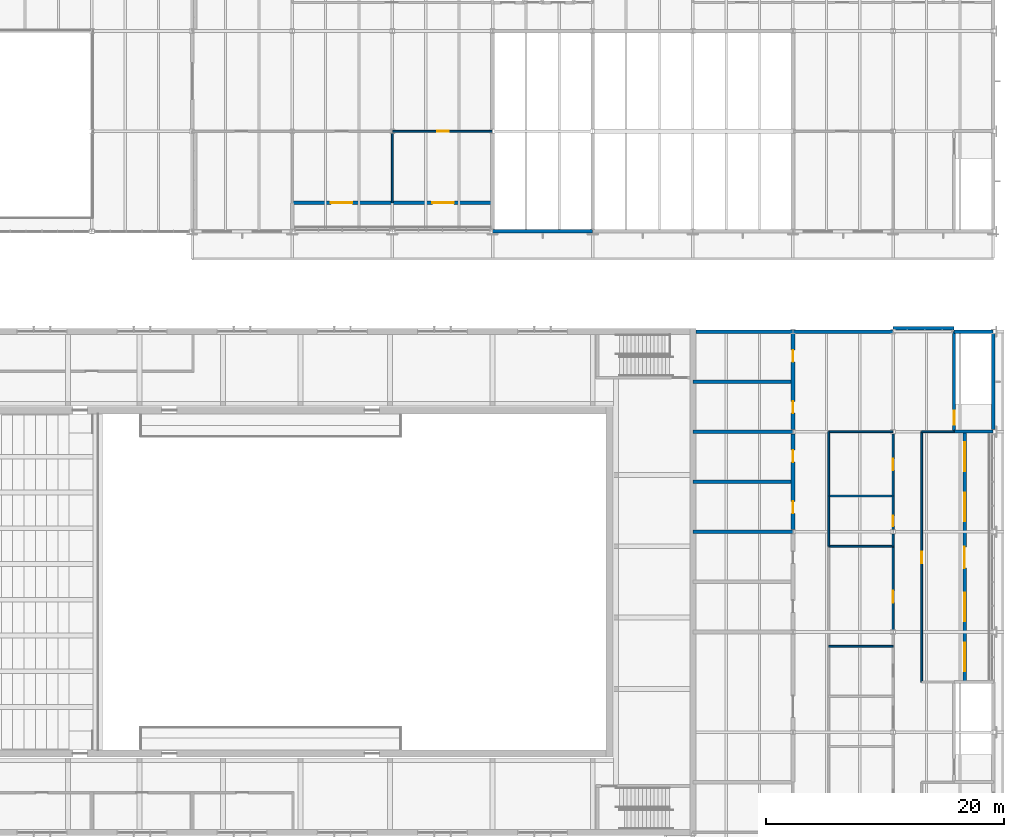
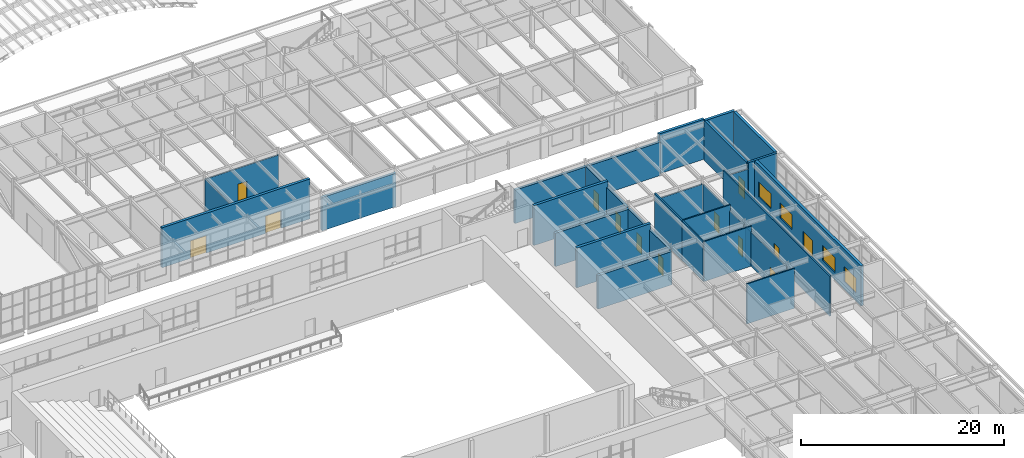
# One storey, part 79 of 116: 30 walls, 13 doors, 4 windows, 17 openings.
"""IFC4 building model written with IfcOpenShell, lengths in metres."""

from ifc_helpers import new_model, si_unit, direction, frame, frame_2d, origin, place, context, subcontext, project, spatial, rectangle, extrude, material, layer, layer_set, type_object, element, fill, save


model = new_model("IFC4")

# Units and contexts
model_context = context("Model", 3, precision=1e-05, world=origin(), true_north=direction((0.0, 1.0)))
body_context = subcontext(model_context, "Body", "Model", "MODEL_VIEW")
ifc_project = project(units=[si_unit("LENGTHUNIT", "METRE"), si_unit("AREAUNIT", "SQUARE_METRE"), si_unit("VOLUMEUNIT", "CUBIC_METRE"), si_unit("PLANEANGLEUNIT", "RADIAN"), si_unit("MASSUNIT", "GRAM", prefix="KILO")], contexts=[model_context])

# Site, building, storey
site_placement = place(None, origin())
site = spatial("IfcSite", under=ifc_project, at=site_placement, CompositionType="ELEMENT")
building_placement = place(site_placement, origin())
building = spatial("IfcBuilding", under=site, at=building_placement, Name="Ljudholm Concert House", CompositionType="ELEMENT")
storey_placement = place(building_placement, frame((0.0, 0.0, 10.199951171875)))
storey = spatial("IfcBuildingStorey", under=building, at=storey_placement, Name="L02", CompositionType="ELEMENT", Elevation=10.199951171875)

# Wall, openings, doors
ifc_material_1 = material(Name="Double gypsum board on staggered studs")
ifc_layer_1 = layer(ifc_material_1, 0.300048828125)
ifc_layer_set_1 = layer_set([ifc_layer_1], Name="Double gypsum board on staggered studs")
wall_type_1 = type_object("IfcWallType", Name="ACOUSTIC PARTITION 300", PredefinedType="PARTITIONING", material=ifc_layer_set_1)
wall_1_placement = place(storey_placement, frame((104.800048828125, 79.77783203125, 0.0), z_axis=(0.0, 0.0, 1.0), x_axis=(0.0, 1.0, 0.0)))
wall_1 = element("IfcWall", 1, at=wall_1_placement, inside=storey, type_object=wall_type_1, Name="Acoustic partition", PredefinedType="PARTITIONING", context=body_context, shape_type="SweptSolid", body=[
    extrude(rectangle(XDim=8.04443359375, YDim=0.300048828125, at=frame_2d((4.022216796875, 0.0))), origin(), (0.0, 0.0, 1.0), 4.086669921875),
])
opening_1_placement = place(wall_1_placement, frame((1.372314453125, 0.0, 0.0)))
opening_1 = element("IfcOpeningElement", 2, at=opening_1_placement, cuts=wall_1, Name="Opening D-W02-019", PredefinedType="OPENING", context=body_context, shape_type="SweptSolid", body=[
    extrude(rectangle(XDim=1.0, YDim=2.10009765625, at=frame_2d((0.5, 1.050048828125))), frame((0.0, 0.159912109375, 0.0), z_axis=(0.0, -1.0, 0.0), x_axis=(1.0, 0.0, 0.0)), (0.0, 0.0, 1.0), 0.320068359375),
])
opening_2_placement = place(wall_1_placement, frame((5.672119140625, 0.0, 0.0)))
opening_2 = element("IfcOpeningElement", 3, at=opening_2_placement, cuts=wall_1, Name="Opening D-W02-020", PredefinedType="OPENING", context=body_context, shape_type="SweptSolid", body=[
    extrude(rectangle(XDim=1.0, YDim=2.10009765625, at=frame_2d((0.5, 1.050048828125))), frame((0.0, 0.159912109375, 0.0), z_axis=(0.0, -1.0, 0.0), x_axis=(1.0, 0.0, 0.0)), (0.0, 0.0, 1.0), 0.320068359375),
])
ifc_material_2 = material(Name="Hollow metal door in steel frame", Category="steel")
door_type_1 = type_object("IfcDoorType", Name="SWING DOOR 1000x2100", OperationType="SINGLE_SWING_LEFT", PredefinedType="DOOR", material=ifc_material_2)
door_1_placement = place(opening_1_placement, origin())
door_1 = element("IfcDoor", 4, at=door_1_placement, inside=storey, type_object=door_type_1, Name="Door", OperationType="SINGLE_SWING_RIGHT", OverallHeight=2.10009765625, OverallWidth=1.0, PredefinedType="DOOR", context=body_context, shape_type="SweptSolid", body=[
    extrude(rectangle(XDim=1.0, YDim=2.10009765625, at=frame_2d((0.5, 1.050048828125))), frame((0.0, 0.02490234375, 0.0), z_axis=(0.0, -1.0, 0.0), x_axis=(1.0, 0.0, 0.0)), (0.0, 0.0, 1.0), 0.050048828125),
])
fill(opening_1, door_1)
door_2_placement = place(opening_2_placement, origin())
door_2 = element("IfcDoor", 5, at=door_2_placement, inside=storey, type_object=door_type_1, Name="Door", OperationType="SINGLE_SWING_LEFT", OverallHeight=2.10009765625, OverallWidth=1.0, PredefinedType="DOOR", context=body_context, shape_type="SweptSolid", body=[
    extrude(rectangle(XDim=1.0, YDim=2.10009765625, at=frame_2d((0.5, 1.050048828125))), frame((0.0, 0.02490234375, 0.0), z_axis=(0.0, -1.0, 0.0), x_axis=(1.0, 0.0, 0.0)), (0.0, 0.0, 1.0), 0.050048828125),
])
fill(opening_2, door_2)

wall_2_placement = place(storey_placement, frame((104.800048828125, 88.177734375, 0.0), z_axis=(0.0, 0.0, 1.0), x_axis=(0.0, 1.0, 0.0)))
wall_2 = element("IfcWall", 6, at=wall_2_placement, inside=storey, type_object=wall_type_1, Name="Acoustic partition", PredefinedType="PARTITIONING", context=body_context, shape_type="SweptSolid", body=[
    extrude(rectangle(XDim=8.04443359375, YDim=0.300048828125, at=frame_2d((4.022216796875, 0.0))), origin(), (0.0, 0.0, 1.0), 4.086669921875),
])
opening_3_placement = place(wall_2_placement, frame((1.372314453125, 0.0, 0.0)))
opening_3 = element("IfcOpeningElement", 7, at=opening_3_placement, cuts=wall_2, Name="Opening D-W02-021", PredefinedType="OPENING", context=body_context, shape_type="SweptSolid", body=[
    extrude(rectangle(XDim=1.0, YDim=2.10009765625, at=frame_2d((0.5, 1.050048828125))), frame((0.0, 0.159912109375, 0.0), z_axis=(0.0, -1.0, 0.0), x_axis=(1.0, 0.0, 0.0)), (0.0, 0.0, 1.0), 0.320068359375),
])
opening_4_placement = place(wall_2_placement, frame((5.672119140625, 0.0, 0.0)))
opening_4 = element("IfcOpeningElement", 8, at=opening_4_placement, cuts=wall_2, Name="Opening D-W02-022", PredefinedType="OPENING", context=body_context, shape_type="SweptSolid", body=[
    extrude(rectangle(XDim=1.0, YDim=2.10009765625, at=frame_2d((0.5, 1.050048828125))), frame((0.0, 0.159912109375, 0.0), z_axis=(0.0, -1.0, 0.0), x_axis=(1.0, 0.0, 0.0)), (0.0, 0.0, 1.0), 0.320068359375),
])
door_3_placement = place(opening_3_placement, origin())
door_3 = element("IfcDoor", 9, at=door_3_placement, inside=storey, type_object=door_type_1, Name="Door", OperationType="SINGLE_SWING_RIGHT", OverallHeight=2.10009765625, OverallWidth=1.0, PredefinedType="DOOR", context=body_context, shape_type="SweptSolid", body=[
    extrude(rectangle(XDim=1.0, YDim=2.10009765625, at=frame_2d((0.5, 1.050048828125))), frame((0.0, 0.02490234375, 0.0), z_axis=(0.0, -1.0, 0.0), x_axis=(1.0, 0.0, 0.0)), (0.0, 0.0, 1.0), 0.050048828125),
])
fill(opening_3, door_3)
door_4_placement = place(opening_4_placement, origin())
door_4 = element("IfcDoor", 10, at=door_4_placement, inside=storey, type_object=door_type_1, Name="Door", OperationType="SINGLE_SWING_LEFT", OverallHeight=2.10009765625, OverallWidth=1.0, PredefinedType="DOOR", context=body_context, shape_type="SweptSolid", body=[
    extrude(rectangle(XDim=1.0, YDim=2.10009765625, at=frame_2d((0.5, 1.050048828125))), frame((0.0, 0.02490234375, 0.0), z_axis=(0.0, -1.0, 0.0), x_axis=(1.0, 0.0, 0.0)), (0.0, 0.0, 1.0), 0.050048828125),
])
fill(opening_4, door_4)

# Walls
wall_3_placement = place(storey_placement, frame((96.39990234375, 79.60009765625, 0.0), z_axis=(0.0, 0.0, 1.0), x_axis=(1.0, 0.0, 0.0)))
element("IfcWall", 11, at=wall_3_placement, inside=storey, type_object=wall_type_1, Name="Acoustic partition", PredefinedType="PARTITIONING", context=body_context, shape_type="SweptSolid", body=[
    extrude(rectangle(XDim=8.39453125, YDim=0.300048828125, at=frame_2d((4.197265625, 0.0))), origin(), (0.0, 0.0, 1.0), 4.008056640625),
])
wall_4_placement = place(storey_placement, frame((96.39990234375, 83.800048828125, 0.0), z_axis=(0.0, 0.0, 1.0), x_axis=(1.0, 0.0, 0.0)))
element("IfcWall", 12, at=wall_4_placement, inside=storey, type_object=wall_type_1, Name="Acoustic partition", PredefinedType="PARTITIONING", context=body_context, shape_type="SweptSolid", body=[
    extrude(rectangle(XDim=8.400146484375, YDim=0.300048828125, at=frame_2d((4.2001953125, 0.0))), origin(), (0.0, 0.0, 1.0), 4.800048828125),
])
wall_5_placement = place(storey_placement, frame((96.39990234375, 88.0, 0.0), z_axis=(0.0, 0.0, 1.0), x_axis=(1.0, 0.0, 0.0)))
element("IfcWall", 13, at=wall_5_placement, inside=storey, type_object=wall_type_1, Name="Acoustic partition", PredefinedType="PARTITIONING", context=body_context, shape_type="SweptSolid", body=[
    extrude(rectangle(XDim=8.39453125, YDim=0.300048828125, at=frame_2d((4.197265625, 0.0))), origin(), (0.0, 0.0, 1.0), 4.008056640625),
])
wall_6_placement = place(storey_placement, frame((96.39990234375, 92.199951171875, 0.0), z_axis=(0.0, 0.0, 1.0), x_axis=(1.0, 0.0, 0.0)))
element("IfcWall", 14, at=wall_6_placement, inside=storey, type_object=wall_type_1, Name="Acoustic partition", PredefinedType="PARTITIONING", context=body_context, shape_type="SweptSolid", body=[
    extrude(rectangle(XDim=8.400146484375, YDim=0.300048828125, at=frame_2d((4.2001953125, 0.0))), origin(), (0.0, 0.0, 1.0), 4.800048828125),
])
ifc_material_3 = material(Name="Gypsum board on steel studs", Category="steel")
ifc_layer_2 = layer(ifc_material_3, 0.14990234375)
ifc_layer_set_2 = layer_set([ifc_layer_2], Name="Gypsum board on steel studs")
wall_type_2 = type_object("IfcWallType", Name="GYPSUM PARTITION 150", PredefinedType="PARTITIONING", material=ifc_layer_set_2)
wall_7_placement = place(storey_placement, frame((107.800048828125, 82.60009765625, 0.0), z_axis=(0.0, 0.0, 1.0), x_axis=(0.0, 1.0, 0.0)))
element("IfcWall", 15, at=wall_7_placement, inside=storey, type_object=wall_type_2, Name="Partition", PredefinedType="PARTITIONING", context=body_context, shape_type="SweptSolid", body=[
    extrude(rectangle(XDim=5.39990234375, YDim=0.14990234375, at=frame_2d((2.699951171875, 0.0))), origin(), (0.0, 0.0, 1.0), 4.800048828125),
])
wall_8_placement = place(storey_placement, frame((107.800048828125, 78.39990234375, 0.0), z_axis=(0.0, 0.0, 1.0), x_axis=(0.0, 1.0, 0.0)))
element("IfcWall", 16, at=wall_8_placement, inside=storey, type_object=wall_type_2, Name="Partition", PredefinedType="PARTITIONING", context=body_context, shape_type="SweptSolid", body=[
    extrude(rectangle(XDim=4.2001953125, YDim=0.14990234375, at=frame_2d((2.10009765625, 0.0))), origin(), (0.0, 0.0, 1.0), 4.800048828125),
])

# Wall, opening, door
wall_9_placement = place(storey_placement, frame((113.199951171875, 71.377685546875, 0.0), z_axis=(0.0, 0.0, 1.0), x_axis=(0.0, 1.0, 0.0)))
wall_9 = element("IfcWall", 17, at=wall_9_placement, inside=storey, type_object=wall_type_2, Name="Partition", PredefinedType="PARTITIONING", context=body_context, shape_type="SweptSolid", body=[
    extrude(rectangle(XDim=7.022216796875, YDim=0.14990234375, at=frame_2d((3.51123046875, 0.0))), origin(), (0.0, 0.0, 1.0), 4.086669921875),
])
opening_5_placement = place(wall_9_placement, frame((2.272216796875, 0.0, 0.0)))
opening_5 = element("IfcOpeningElement", 18, at=opening_5_placement, cuts=wall_9, Name="Opening D-W02-031", PredefinedType="OPENING", context=body_context, shape_type="SweptSolid", body=[
    extrude(rectangle(XDim=1.0, YDim=2.10009765625, at=frame_2d((0.5, 1.050048828125))), frame((0.0, 0.0849609375, 0.0), z_axis=(0.0, -1.0, 0.0), x_axis=(1.0, 0.0, 0.0)), (0.0, 0.0, 1.0), 0.169921875),
])
door_5_placement = place(opening_5_placement, origin())
door_5 = element("IfcDoor", 19, at=door_5_placement, inside=storey, type_object=door_type_1, Name="Door", OperationType="SINGLE_SWING_RIGHT", OverallHeight=2.10009765625, OverallWidth=1.0, PredefinedType="DOOR", context=body_context, shape_type="SweptSolid", body=[
    extrude(rectangle(XDim=1.0, YDim=2.10009765625, at=frame_2d((0.5, 1.050048828125))), frame((0.0, 0.02490234375, 0.0), z_axis=(0.0, -1.0, 0.0), x_axis=(1.0, 0.0, 0.0)), (0.0, 0.0, 1.0), 0.050048828125),
])
fill(opening_5, door_5)

wall_10_placement = place(storey_placement, frame((113.199951171875, 82.60009765625, 0.0), z_axis=(0.0, 0.0, 1.0), x_axis=(0.0, 1.0, 0.0)))
wall_10 = element("IfcWall", 20, at=wall_10_placement, inside=storey, type_object=wall_type_2, Name="Partition", PredefinedType="PARTITIONING", context=body_context, shape_type="SweptSolid", body=[
    extrude(rectangle(XDim=5.22216796875, YDim=0.14990234375, at=frame_2d((2.611083984375, 0.0))), origin(), (0.0, 0.0, 1.0), 4.086669921875),
])
opening_6_placement = place(wall_10_placement, frame((2.14990234375, 0.0, 0.0)))
opening_6 = element("IfcOpeningElement", 21, at=opening_6_placement, cuts=wall_10, Name="Opening D-W02-033", PredefinedType="OPENING", context=body_context, shape_type="SweptSolid", body=[
    extrude(rectangle(XDim=1.0, YDim=2.10009765625, at=frame_2d((0.5, 1.050048828125))), frame((0.0, 0.0849609375, 0.0), z_axis=(0.0, -1.0, 0.0), x_axis=(1.0, 0.0, 0.0)), (0.0, 0.0, 1.0), 0.169921875),
])
door_6_placement = place(opening_6_placement, origin())
door_6 = element("IfcDoor", 22, at=door_6_placement, inside=storey, type_object=door_type_1, Name="Door", OperationType="SINGLE_SWING_RIGHT", OverallHeight=2.10009765625, OverallWidth=1.0, PredefinedType="DOOR", context=body_context, shape_type="SweptSolid", body=[
    extrude(rectangle(XDim=1.0, YDim=2.10009765625, at=frame_2d((0.5, 1.050048828125))), frame((0.0, 0.02490234375, 0.0), z_axis=(0.0, -1.0, 0.0), x_axis=(1.0, 0.0, 0.0)), (0.0, 0.0, 1.0), 0.050048828125),
])
fill(opening_6, door_6)

# Wall
wall_11_placement = place(storey_placement, frame((113.199951171875, 78.39990234375, 0.0), z_axis=(0.0, 0.0, 1.0), x_axis=(0.0, 1.0, 0.0)))
element("IfcWall", 23, at=wall_11_placement, inside=storey, type_object=wall_type_2, Name="Partition", PredefinedType="PARTITIONING", context=body_context, shape_type="SweptSolid", body=[
    extrude(rectangle(XDim=1.022216796875, YDim=0.14990234375, at=frame_2d((0.51123046875, 0.0))), origin(), (0.0, 0.0, 1.0), 4.086669921875),
])

# Wall, opening, door
wall_12_placement = place(storey_placement, frame((113.199951171875, 79.77783203125, 0.0), z_axis=(0.0, 0.0, 1.0), x_axis=(0.0, 1.0, 0.0)))
wall_12 = element("IfcWall", 24, at=wall_12_placement, inside=storey, type_object=wall_type_2, Name="Partition", PredefinedType="PARTITIONING", context=body_context, shape_type="SweptSolid", body=[
    extrude(rectangle(XDim=2.822265625, YDim=0.14990234375, at=frame_2d((1.4111328125, 0.0))), origin(), (0.0, 0.0, 1.0), 4.086669921875),
])
opening_7_placement = place(wall_12_placement, frame((0.272216796875, 0.0, 0.0)))
opening_7 = element("IfcOpeningElement", 25, at=opening_7_placement, cuts=wall_12, Name="Opening D-W02-032", PredefinedType="OPENING", context=body_context, shape_type="SweptSolid", body=[
    extrude(rectangle(XDim=0.89990234375, YDim=2.10009765625, at=frame_2d((0.449951171875, 1.050048828125))), frame((0.0, 0.0849609375, 0.0), z_axis=(0.0, -1.0, 0.0), x_axis=(1.0, 0.0, 0.0)), (0.0, 0.0, 1.0), 0.169921875),
])
ifc_material_4 = material(Name="Hollow metal door in steel frame", Category="steel")
door_type_2 = type_object("IfcDoorType", Name="SWING DOOR 900x2100", OperationType="SINGLE_SWING_LEFT", PredefinedType="DOOR", material=ifc_material_4)
door_7_placement = place(opening_7_placement, origin())
door_7 = element("IfcDoor", 26, at=door_7_placement, inside=storey, type_object=door_type_2, Name="Door", OperationType="SINGLE_SWING_RIGHT", OverallHeight=2.10009765625, OverallWidth=0.89990234375, PredefinedType="DOOR", context=body_context, shape_type="SweptSolid", body=[
    extrude(rectangle(XDim=0.89990234375, YDim=2.10009765625, at=frame_2d((0.449951171875, 1.050048828125))), frame((0.0, 0.02490234375, 0.0), z_axis=(0.0, -1.0, 0.0), x_axis=(1.0, 0.0, 0.0)), (0.0, 0.0, 1.0), 0.050048828125),
])
fill(opening_7, door_7)

wall_13_placement = place(storey_placement, frame((115.60009765625, 67.0, 0.0), z_axis=(0.0, 0.0, 1.0), x_axis=(0.0, 1.0, 0.0)))
wall_13 = element("IfcWall", 27, at=wall_13_placement, inside=storey, type_object=wall_type_2, Name="Partition", PredefinedType="PARTITIONING", context=body_context, shape_type="SweptSolid", body=[
    extrude(rectangle(XDim=21.0, YDim=0.14990234375, at=frame_2d((10.5, 0.0))), origin(), (0.0, 0.0, 1.0), 4.800048828125),
])
opening_8_placement = place(wall_13_placement, frame((9.949951171875, 0.0, 0.0)))
opening_8 = element("IfcOpeningElement", 28, at=opening_8_placement, cuts=wall_13, Name="Opening D-W02-043", PredefinedType="OPENING", context=body_context, shape_type="SweptSolid", body=[
    extrude(rectangle(XDim=1.0, YDim=2.10009765625, at=frame_2d((0.5, 1.050048828125))), frame((0.0, 0.0849609375, 0.0), z_axis=(0.0, -1.0, 0.0), x_axis=(1.0, 0.0, 0.0)), (0.0, 0.0, 1.0), 0.169921875),
])
door_8_placement = place(opening_8_placement, frame((1.0, 0.0, 0.0), z_axis=(0.0, 0.0, 1.0), x_axis=(-1.0, 0.0, 0.0)))
door_8 = element("IfcDoor", 29, at=door_8_placement, inside=storey, type_object=door_type_1, Name="Door", OperationType="SINGLE_SWING_RIGHT", OverallHeight=2.10009765625, OverallWidth=1.0, PredefinedType="DOOR", context=body_context, shape_type="SweptSolid", body=[
    extrude(rectangle(XDim=1.0, YDim=2.10009765625, at=frame_2d((0.5, 1.050048828125))), frame((0.0, 0.02490234375, 0.0), z_axis=(0.0, -1.0, 0.0), x_axis=(1.0, 0.0, 0.0)), (0.0, 0.0, 1.0), 0.050048828125),
])
fill(opening_8, door_8)

# Walls
for number, where, z_axis, x_axis, name in (
    (30, (107.800048828125, 70.0, 0.0), (0.0, 0.0, 1.0), (1.0, 0.0, 0.0), "Partition"),
    (31, (107.800048828125, 78.39990234375, 0.0), (0.0, 0.0, 1.0), (1.0, 0.0, 0.0), "Partition"),
    (32, (107.800048828125, 82.60009765625, 0.0), (0.0, 0.0, 1.0), (1.0, 0.0, 0.0), "Partition"),
):
    element("IfcWall", number, at=place(storey_placement, frame(where, z_axis=z_axis, x_axis=x_axis)), inside=storey, type_object=wall_type_2, Name=name, PredefinedType="PARTITIONING", context=body_context, shape_type="SweptSolid", body=[
        extrude(rectangle(XDim=5.39990234375, YDim=0.14990234375, at=frame_2d((2.699951171875, 0.0))), origin(), (0.0, 0.0, 1.0), 4.800048828125),
    ])
wall_14_placement = place(storey_placement, frame((107.800048828125, 88.0, 0.0), z_axis=(0.0, 0.0, 1.0), x_axis=(1.0, 0.0, 0.0)))
element("IfcWall", 33, at=wall_14_placement, inside=storey, type_object=wall_type_2, Name="Partition", PredefinedType="PARTITIONING", context=body_context, shape_type="SweptSolid", body=[
    extrude(rectangle(XDim=5.394287109375, YDim=0.14990234375, at=frame_2d((2.697265625, 0.0))), origin(), (0.0, 0.0, 1.0), 4.008056640625),
])
wall_15_placement = place(storey_placement, frame((115.60009765625, 88.0, 0.0), z_axis=(0.0, 0.0, 1.0), x_axis=(1.0, 0.0, 0.0)))
element("IfcWall", 34, at=wall_15_placement, inside=storey, type_object=wall_type_2, Name="Partition", PredefinedType="PARTITIONING", context=body_context, shape_type="SweptSolid", body=[
    extrude(rectangle(XDim=2.724853515625, YDim=0.14990234375, at=frame_2d((1.3623046875, 0.0))), origin(), (0.0, 0.0, 1.0), 4.008056640625),
])
wall_16_placement = place(storey_placement, frame((71.199951171875, 107.199951171875, 0.0), z_axis=(0.0, 0.0, 1.0), x_axis=(0.0, 1.0, 0.0)))
element("IfcWall", 35, at=wall_16_placement, inside=storey, type_object=wall_type_2, Name="Partition", PredefinedType="PARTITIONING", context=body_context, shape_type="SweptSolid", body=[
    extrude(rectangle(XDim=5.822265625, YDim=0.14990234375, at=frame_2d((2.9111328125, 0.0))), origin(), (0.0, 0.0, 1.0), 4.086669921875),
])

# Wall, opening, door
wall_17_placement = place(storey_placement, frame((71.1943359375, 113.199951171875, 0.0), z_axis=(0.0, 0.0, 1.0), x_axis=(1.0, 0.0, 0.0)))
wall_17 = element("IfcWall", 36, at=wall_17_placement, inside=storey, type_object=wall_type_2, Name="Partition", PredefinedType="PARTITIONING", context=body_context, shape_type="SweptSolid", body=[
    extrude(rectangle(XDim=8.400146484375, YDim=0.14990234375, at=frame_2d((4.2001953125, 0.0))), origin(), (0.0, 0.0, 1.0), 4.008056640625),
])
opening_9_placement = place(wall_17_placement, frame((3.755615234375, 0.0, 0.0)))
opening_9 = element("IfcOpeningElement", 37, at=opening_9_placement, cuts=wall_17, Name="Opening D-R02-010", PredefinedType="OPENING", context=body_context, shape_type="SweptSolid", body=[
    extrude(rectangle(XDim=1.0, YDim=2.10009765625, at=frame_2d((0.5, 1.050048828125))), frame((0.0, 0.0849609375, 0.0), z_axis=(0.0, -1.0, 0.0), x_axis=(1.0, 0.0, 0.0)), (0.0, 0.0, 1.0), 0.169921875),
])
door_9_placement = place(opening_9_placement, frame((1.0, 0.0, 0.0), z_axis=(0.0, 0.0, 1.0), x_axis=(-1.0, 0.0, 0.0)))
door_9 = element("IfcDoor", 38, at=door_9_placement, inside=storey, type_object=door_type_1, Name="Door", OperationType="SINGLE_SWING_RIGHT", OverallHeight=2.10009765625, OverallWidth=1.0, PredefinedType="DOOR", context=body_context, shape_type="SweptSolid", body=[
    extrude(rectangle(XDim=1.0, YDim=2.10009765625, at=frame_2d((0.5, 1.050048828125))), frame((0.0, 0.02490234375, 0.0), z_axis=(0.0, -1.0, 0.0), x_axis=(1.0, 0.0, 0.0)), (0.0, 0.0, 1.0), 0.050048828125),
])
fill(opening_9, door_9)

# Walls
ifc_material_5 = material(Name="Precast concrete 5,000 psi", Category="concrete")
ifc_layer_3 = layer(ifc_material_5, 0.300048828125)
ifc_layer_set_3 = layer_set([ifc_layer_3], Name="Precast concrete 5,000 psi")
wall_type_3 = type_object("IfcWallType", Name="PRECAST PANEL WALL 300", PredefinedType="SOLIDWALL", material=ifc_layer_set_3)
wall_18_placement = place(storey_placement, frame((96.64990234375, 96.39990234375, 0.0), z_axis=(0.0, 0.0, 1.0), x_axis=(1.0, 0.0, 0.0)))
element("IfcWall", 39, at=wall_18_placement, inside=storey, type_object=wall_type_3, Name="Facade wall", PredefinedType="SOLIDWALL", context=body_context, shape_type="SweptSolid", body=[
    extrude(rectangle(XDim=8.15576171875, YDim=0.300048828125, at=frame_2d((4.077880859375, 0.0))), origin(), (0.0, 0.0, 1.0), 4.008056640625),
])
wall_19_placement = place(storey_placement, frame((104.79443359375, 96.39990234375, 0.0), z_axis=(0.0, 0.0, 1.0), x_axis=(1.0, 0.0, 0.0)))
element("IfcWall", 40, at=wall_19_placement, inside=storey, type_object=wall_type_3, Name="Facade wall", PredefinedType="SOLIDWALL", context=body_context, shape_type="SweptSolid", body=[
    extrude(rectangle(XDim=8.39990234375, YDim=0.300048828125, at=frame_2d((4.199951171875, 0.0))), origin(), (0.0, 0.0, 1.0), 4.008056640625),
])
wall_20_placement = place(storey_placement, frame((113.20556640625, 96.6796875, 0.0), z_axis=(0.0, 0.0, 1.0), x_axis=(1.0, 0.0, 0.0)))
element("IfcWall", 41, at=wall_20_placement, inside=storey, type_object=wall_type_3, Name="Facade wall (braced bay)", PredefinedType="SOLIDWALL", context=body_context, shape_type="SweptSolid", body=[
    extrude(rectangle(XDim=5.119384765625, YDim=0.300048828125, at=frame_2d((2.5595703125, 0.0))), origin(), (0.0, 0.0, 1.0), 4.800048828125),
])
wall_21_placement = place(storey_placement, frame((79.60546875, 104.800048828125, 0.0), z_axis=(0.0, 0.0, 1.0), x_axis=(1.0, 0.0, 0.0)))
element("IfcWall", 42, at=wall_21_placement, inside=storey, type_object=wall_type_3, Name="Facade wall", PredefinedType="SOLIDWALL", context=body_context, shape_type="SweptSolid", body=[
    extrude(rectangle(XDim=8.400146484375, YDim=0.300048828125, at=frame_2d((4.2001953125, 0.0))), origin(), (0.0, 0.0, 1.0), 4.008056640625),
])

# Wall, openings, windows, door
wall_22_placement = place(storey_placement, frame((119.199951171875, 67.0, 0.0), z_axis=(0.0, 0.0, 1.0), x_axis=(0.0, 1.0, 0.0)))
wall_22 = element("IfcWall", 43, at=wall_22_placement, inside=storey, type_object=wall_type_3, Name="Loggia wall", PredefinedType="SOLIDWALL", context=body_context, shape_type="SweptSolid", body=[
    extrude(rectangle(XDim=21.0, YDim=0.300048828125, at=frame_2d((10.5, 0.0))), origin(), (0.0, 0.0, 1.0), 4.800048828125),
])
opening_10_placement = place(wall_22_placement, frame((9.550048828125, 0.0, 0.0)))
opening_10 = element("IfcOpeningElement", 44, at=opening_10_placement, cuts=wall_22, Name="Opening D-W02-045", PredefinedType="OPENING", context=body_context, shape_type="SweptSolid", body=[
    extrude(rectangle(XDim=1.800048828125, YDim=2.10009765625, at=frame_2d((0.89990234375, 1.050048828125))), frame((0.0, 0.159912109375, 0.0), z_axis=(0.0, -1.0, 0.0), x_axis=(1.0, 0.0, 0.0)), (0.0, 0.0, 1.0), 0.320068359375),
])
opening_11_placement = place(wall_22_placement, frame((0.89990234375, 0.0, 0.949951171875)))
opening_11 = element("IfcOpeningElement", 45, at=opening_11_placement, cuts=wall_22, Name="Opening X-W02-016", PredefinedType="OPENING", context=body_context, shape_type="SweptSolid", body=[
    extrude(rectangle(XDim=2.39990234375, YDim=1.800048828125, at=frame_2d((1.199951171875, 0.89990234375))), frame((0.0, 0.159912109375, 0.0), z_axis=(0.0, -1.0, 0.0), x_axis=(1.0, 0.0, 0.0)), (0.0, 0.0, 1.0), 0.320068359375),
])
opening_12_placement = place(wall_22_placement, frame((5.10009765625, 0.0, 0.949951171875)))
opening_12 = element("IfcOpeningElement", 46, at=opening_12_placement, cuts=wall_22, Name="Opening X-W02-017", PredefinedType="OPENING", context=body_context, shape_type="SweptSolid", body=[
    extrude(rectangle(XDim=2.39990234375, YDim=1.800048828125, at=frame_2d((1.199951171875, 0.89990234375))), frame((0.0, 0.159912109375, 0.0), z_axis=(0.0, -1.0, 0.0), x_axis=(1.0, 0.0, 0.0)), (0.0, 0.0, 1.0), 0.320068359375),
])
opening_13_placement = place(wall_22_placement, frame((13.5, 0.0, 0.949951171875)))
opening_13 = element("IfcOpeningElement", 47, at=opening_13_placement, cuts=wall_22, Name="Opening X-W02-018", PredefinedType="OPENING", context=body_context, shape_type="SweptSolid", body=[
    extrude(rectangle(XDim=2.39990234375, YDim=1.800048828125, at=frame_2d((1.199951171875, 0.89990234375))), frame((0.0, 0.159912109375, 0.0), z_axis=(0.0, -1.0, 0.0), x_axis=(1.0, 0.0, 0.0)), (0.0, 0.0, 1.0), 0.320068359375),
])
opening_14_placement = place(wall_22_placement, frame((17.699951171875, 0.0, 0.949951171875)))
opening_14 = element("IfcOpeningElement", 48, at=opening_14_placement, cuts=wall_22, Name="Opening X-W02-019", PredefinedType="OPENING", context=body_context, shape_type="SweptSolid", body=[
    extrude(rectangle(XDim=2.39990234375, YDim=1.800048828125, at=frame_2d((1.199951171875, 0.89990234375))), frame((0.0, 0.159912109375, 0.0), z_axis=(0.0, -1.0, 0.0), x_axis=(1.0, 0.0, 0.0)), (0.0, 0.0, 1.0), 0.320068359375),
])
ifc_material_6 = material(Name="Aluminium frame, impact glazing", Category="aluminium")
window_type = type_object("IfcWindowType", Name="CASEMENT WINDOW 2400x1800", PartitioningType="DOUBLE_PANEL_VERTICAL", PredefinedType="WINDOW", material=ifc_material_6)
window_1_placement = place(opening_11_placement, origin())
window_1 = element("IfcWindow", 49, at=window_1_placement, inside=storey, type_object=window_type, Name="Window", OverallHeight=1.800048828125, OverallWidth=2.39990234375, PartitioningType="DOUBLE_PANEL_VERTICAL", PredefinedType="WINDOW", context=body_context, shape_type="SweptSolid", body=[
    extrude(rectangle(XDim=2.39990234375, YDim=1.800048828125, at=frame_2d((1.199951171875, 0.89990234375))), frame((0.0, 0.030029296875, 0.0), z_axis=(0.0, -1.0, 0.0), x_axis=(1.0, 0.0, 0.0)), (0.0, 0.0, 1.0), 0.06005859375),
])
fill(opening_11, window_1)
window_2_placement = place(opening_12_placement, origin())
window_2 = element("IfcWindow", 50, at=window_2_placement, inside=storey, type_object=window_type, Name="Window", OverallHeight=1.800048828125, OverallWidth=2.39990234375, PartitioningType="DOUBLE_PANEL_VERTICAL", PredefinedType="WINDOW", context=body_context, shape_type="SweptSolid", body=[
    extrude(rectangle(XDim=2.39990234375, YDim=1.800048828125, at=frame_2d((1.199951171875, 0.89990234375))), frame((0.0, 0.030029296875, 0.0), z_axis=(0.0, -1.0, 0.0), x_axis=(1.0, 0.0, 0.0)), (0.0, 0.0, 1.0), 0.06005859375),
])
fill(opening_12, window_2)
window_3_placement = place(opening_13_placement, origin())
window_3 = element("IfcWindow", 51, at=window_3_placement, inside=storey, type_object=window_type, Name="Window", OverallHeight=1.800048828125, OverallWidth=2.39990234375, PartitioningType="DOUBLE_PANEL_VERTICAL", PredefinedType="WINDOW", context=body_context, shape_type="SweptSolid", body=[
    extrude(rectangle(XDim=2.39990234375, YDim=1.800048828125, at=frame_2d((1.199951171875, 0.89990234375))), frame((0.0, 0.030029296875, 0.0), z_axis=(0.0, -1.0, 0.0), x_axis=(1.0, 0.0, 0.0)), (0.0, 0.0, 1.0), 0.06005859375),
])
fill(opening_13, window_3)
window_4_placement = place(opening_14_placement, origin())
window_4 = element("IfcWindow", 52, at=window_4_placement, inside=storey, type_object=window_type, Name="Window", OverallHeight=1.800048828125, OverallWidth=2.39990234375, PartitioningType="DOUBLE_PANEL_VERTICAL", PredefinedType="WINDOW", context=body_context, shape_type="SweptSolid", body=[
    extrude(rectangle(XDim=2.39990234375, YDim=1.800048828125, at=frame_2d((1.199951171875, 0.89990234375))), frame((0.0, 0.030029296875, 0.0), z_axis=(0.0, -1.0, 0.0), x_axis=(1.0, 0.0, 0.0)), (0.0, 0.0, 1.0), 0.06005859375),
])
fill(opening_14, window_4)
ifc_material_7 = material(Name="Hollow metal door in steel frame", Category="steel")
door_type_3 = type_object("IfcDoorType", Name="DOUBLE DOOR 1800x2100 EXTERNAL", OperationType="DOUBLE_DOOR_SINGLE_SWING", PredefinedType="DOOR", material=ifc_material_7)
door_10_placement = place(opening_10_placement, frame((1.800048828125, 0.0, 0.0), z_axis=(0.0, 0.0, 1.0), x_axis=(-1.0, 0.0, 0.0)))
door_10 = element("IfcDoor", 53, at=door_10_placement, inside=storey, type_object=door_type_3, Name="Loggia door", OperationType="DOUBLE_DOOR_SINGLE_SWING", OverallHeight=2.10009765625, OverallWidth=1.800048828125, PredefinedType="DOOR", context=body_context, shape_type="SweptSolid", body=[
    extrude(rectangle(XDim=1.800048828125, YDim=2.10009765625, at=frame_2d((0.89990234375, 1.050048828125))), frame((0.0, 0.02490234375, 0.0), z_axis=(0.0, -1.0, 0.0), x_axis=(1.0, 0.0, 0.0)), (0.0, 0.0, 1.0), 0.050048828125),
])
fill(opening_10, door_10)

# Wall, openings, doors
wall_23_placement = place(storey_placement, frame((62.800048828125, 107.199951171875, 0.0), z_axis=(0.0, 0.0, 1.0), x_axis=(1.0, 0.0, 0.0)))
wall_23 = element("IfcWall", 54, at=wall_23_placement, inside=storey, type_object=wall_type_3, Name="Loggia wall", PredefinedType="SOLIDWALL", context=body_context, shape_type="SweptSolid", body=[
    extrude(rectangle(XDim=16.800048828125, YDim=0.300048828125, at=frame_2d((8.39990234375, 0.0))), origin(), (0.0, 0.0, 1.0), 4.800048828125),
])
opening_15_placement = place(wall_23_placement, frame((3.25, 0.0, 0.0)))
opening_15 = element("IfcOpeningElement", 55, at=opening_15_placement, cuts=wall_23, Name="Opening D-R02-017", PredefinedType="OPENING", context=body_context, shape_type="SweptSolid", body=[
    extrude(rectangle(XDim=1.800048828125, YDim=2.10009765625, at=frame_2d((0.89990234375, 1.050048828125))), frame((0.0, 0.159912109375, 0.0), z_axis=(0.0, -1.0, 0.0), x_axis=(1.0, 0.0, 0.0)), (0.0, 0.0, 1.0), 0.320068359375),
])
opening_16_placement = place(wall_23_placement, frame((11.75, 0.0, 0.0)))
opening_16 = element("IfcOpeningElement", 56, at=opening_16_placement, cuts=wall_23, Name="Opening D-R02-018", PredefinedType="OPENING", context=body_context, shape_type="SweptSolid", body=[
    extrude(rectangle(XDim=1.800048828125, YDim=2.10009765625, at=frame_2d((0.89990234375, 1.050048828125))), frame((0.0, 0.159912109375, 0.0), z_axis=(0.0, -1.0, 0.0), x_axis=(1.0, 0.0, 0.0)), (0.0, 0.0, 1.0), 0.320068359375),
])
door_11_placement = place(opening_15_placement, frame((1.800048828125, 0.0, 0.0), z_axis=(0.0, 0.0, 1.0), x_axis=(-1.0, 0.0, 0.0)))
door_11 = element("IfcDoor", 57, at=door_11_placement, inside=storey, type_object=door_type_3, Name="Loggia door", OperationType="DOUBLE_DOOR_SINGLE_SWING", OverallHeight=2.10009765625, OverallWidth=1.800048828125, PredefinedType="DOOR", context=body_context, shape_type="SweptSolid", body=[
    extrude(rectangle(XDim=1.800048828125, YDim=2.10009765625, at=frame_2d((0.89990234375, 1.050048828125))), frame((0.0, 0.02490234375, 0.0), z_axis=(0.0, -1.0, 0.0), x_axis=(1.0, 0.0, 0.0)), (0.0, 0.0, 1.0), 0.050048828125),
])
fill(opening_15, door_11)
door_12_placement = place(opening_16_placement, frame((1.800048828125, 0.0, 0.0), z_axis=(0.0, 0.0, 1.0), x_axis=(-1.0, 0.0, 0.0)))
door_12 = element("IfcDoor", 58, at=door_12_placement, inside=storey, type_object=door_type_3, Name="Loggia door", OperationType="DOUBLE_DOOR_SINGLE_SWING", OverallHeight=2.10009765625, OverallWidth=1.800048828125, PredefinedType="DOOR", context=body_context, shape_type="SweptSolid", body=[
    extrude(rectangle(XDim=1.800048828125, YDim=2.10009765625, at=frame_2d((0.89990234375, 1.050048828125))), frame((0.0, 0.02490234375, 0.0), z_axis=(0.0, -1.0, 0.0), x_axis=(1.0, 0.0, 0.0)), (0.0, 0.0, 1.0), 0.050048828125),
])
fill(opening_16, door_12)

# Wall, opening, door
ifc_material_8 = material(Name="Concrete 6,500 psi", Category="concrete")
ifc_layer_4 = layer(ifc_material_8, 0.25)
ifc_layer_set_4 = layer_set([ifc_layer_4], Name="Concrete 6,500 psi")
wall_type_4 = type_object("IfcWallType", Name="RC CORE WALL 250", PredefinedType="SHEAR", material=ifc_layer_set_4)
wall_24_placement = place(storey_placement, frame((118.324951171875, 88.0, 0.0), z_axis=(0.0, 0.0, 1.0), x_axis=(0.0, 1.0, 0.0)))
wall_24 = element("IfcWall", 59, at=wall_24_placement, inside=storey, type_object=wall_type_4, Name="Stair core wall", PredefinedType="SHEAR", context=body_context, shape_type="SweptSolid", body=[
    extrude(rectangle(XDim=8.39990234375, YDim=0.25, at=frame_2d((4.199951171875, 0.0))), origin(), (0.0, 0.0, 1.0), 4.800048828125),
])
opening_17_placement = place(wall_24_placement, frame((0.574951171875, 0.0, 0.0)))
opening_17 = element("IfcOpeningElement", 60, at=opening_17_placement, cuts=wall_24, Name="Opening D-W02-006", PredefinedType="OPENING", context=body_context, shape_type="SweptSolid", body=[
    extrude(rectangle(XDim=1.199951171875, YDim=2.10009765625, at=frame_2d((0.60009765625, 1.050048828125))), frame((0.0, 0.135009765625, 0.0), z_axis=(0.0, -1.0, 0.0), x_axis=(1.0, 0.0, 0.0)), (0.0, 0.0, 1.0), 0.27001953125),
])
ifc_material_9 = material(Name="Hollow metal door in steel frame", Category="steel")
door_type_4 = type_object("IfcDoorType", Name="SWING DOOR 1200x2100", OperationType="SINGLE_SWING_LEFT", PredefinedType="DOOR", material=ifc_material_9)
door_13_placement = place(opening_17_placement, origin())
door_13 = element("IfcDoor", 61, at=door_13_placement, inside=storey, type_object=door_type_4, Name="Door", OperationType="SINGLE_SWING_LEFT", OverallHeight=2.10009765625, OverallWidth=1.199951171875, PredefinedType="DOOR", context=body_context, shape_type="SweptSolid", body=[
    extrude(rectangle(XDim=1.199951171875, YDim=2.10009765625, at=frame_2d((0.60009765625, 1.050048828125))), frame((0.0, 0.02490234375, 0.0), z_axis=(0.0, -1.0, 0.0), x_axis=(1.0, 0.0, 0.0)), (0.0, 0.0, 1.0), 0.050048828125),
])
fill(opening_17, door_13)

# Walls
wall_25_placement = place(storey_placement, frame((118.324951171875, 88.0, 0.0), z_axis=(0.0, 0.0, 1.0), x_axis=(1.0, 0.0, 0.0)))
element("IfcWall", 62, at=wall_25_placement, inside=storey, type_object=wall_type_4, Name="Stair core wall", PredefinedType="SHEAR", context=body_context, shape_type="SweptSolid", body=[
    extrude(rectangle(XDim=3.26953125, YDim=0.25, at=frame_2d((1.634765625, 0.0))), origin(), (0.0, 0.0, 1.0), 4.800048828125),
])
ifc_material_10 = material(Name="Concrete 6,500 psi", Category="concrete")
ifc_layer_5 = layer(ifc_material_10, 0.300048828125)
ifc_layer_set_5 = layer_set([ifc_layer_5], Name="Concrete 6,500 psi")
wall_type_5 = type_object("IfcWallType", Name="RC CORE WALL 300", PredefinedType="SHEAR", material=ifc_layer_set_5)
wall_26_placement = place(storey_placement, frame((121.60009765625, 88.177734375, 0.0), z_axis=(0.0, 0.0, 1.0), x_axis=(0.0, 1.0, 0.0)))
element("IfcWall", 63, at=wall_26_placement, inside=storey, type_object=wall_type_5, Name="Stair core wall", PredefinedType="SHEAR", context=body_context, shape_type="SweptSolid", body=[
    extrude(rectangle(XDim=8.04443359375, YDim=0.300048828125, at=frame_2d((4.022216796875, 0.0))), origin(), (0.0, 0.0, 1.0), 4.800048828125),
])
wall_27_placement = place(storey_placement, frame((118.324951171875, 96.39990234375, 0.0), z_axis=(0.0, 0.0, 1.0), x_axis=(1.0, 0.0, 0.0)))
element("IfcWall", 64, at=wall_27_placement, inside=storey, type_object=wall_type_5, Name="Stair core wall", PredefinedType="SHEAR", context=body_context, shape_type="SweptSolid", body=[
    extrude(rectangle(XDim=3.26953125, YDim=0.300048828125, at=frame_2d((1.634765625, 0.0))), origin(), (0.0, 0.0, 1.0), 4.800048828125),
])

save(model, "model.ifc")
